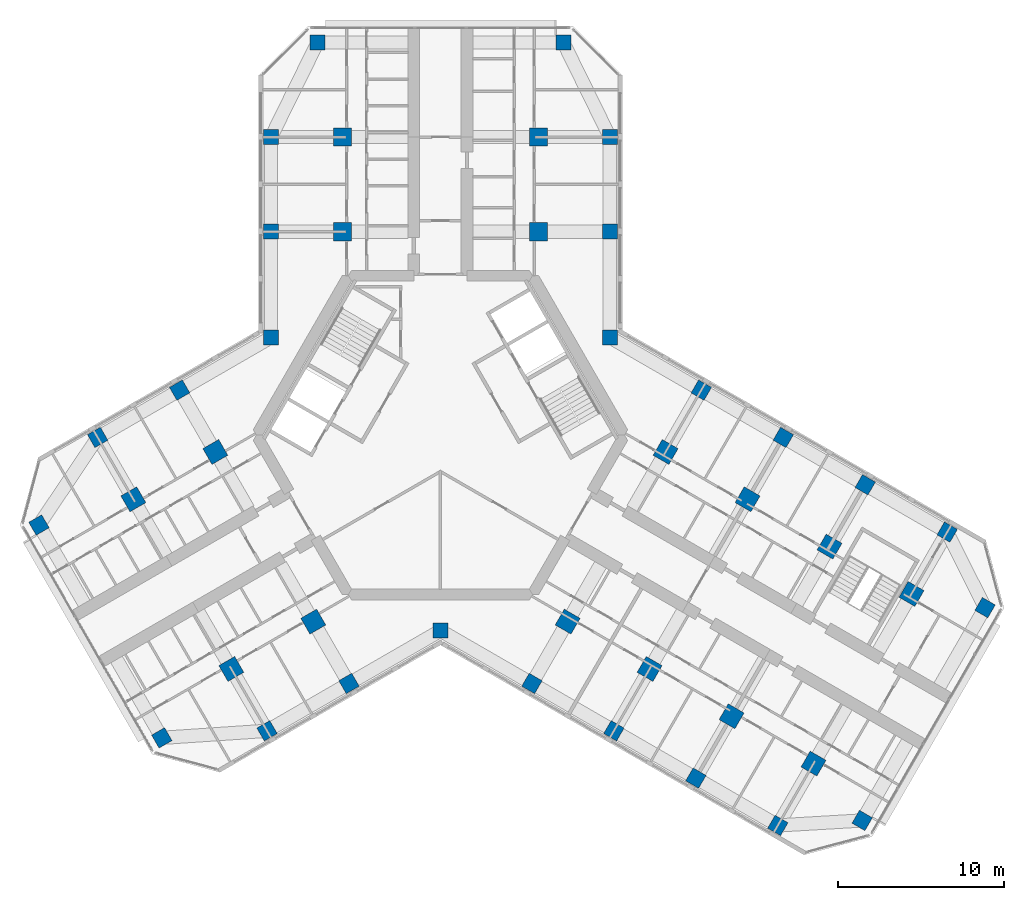
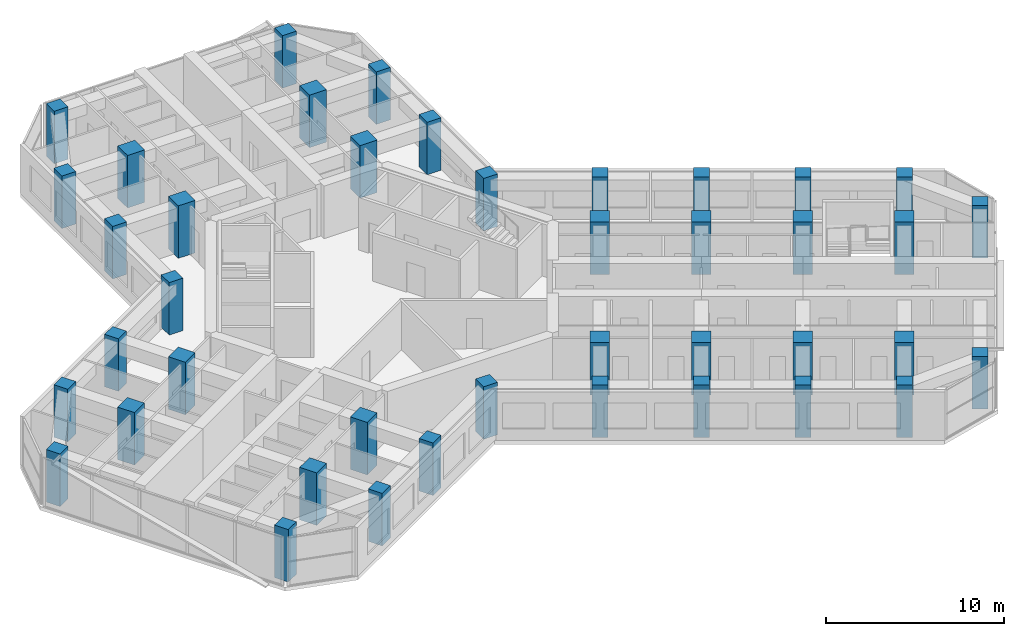
# One storey, part 1 of 16: 41 columns.
"""IFC4 building model written with IfcOpenShell, lengths in metres."""

from ifc_helpers import new_model, si_unit, direction, frame, origin, origin_2d, place, context, subcontext, project, spatial, rectangle, extrude, material, material_profile, profile_set, type_object, element, save


model = new_model("IFC4")

# Units and contexts
model_context = context("Model", 3, precision=1e-05, world=origin(), true_north=direction((0.0, 1.0)))
body_context = subcontext(model_context, "Body", "Model", "MODEL_VIEW")
ifc_project = project(units=[si_unit("LENGTHUNIT", "METRE"), si_unit("AREAUNIT", "SQUARE_METRE"), si_unit("VOLUMEUNIT", "CUBIC_METRE"), si_unit("PLANEANGLEUNIT", "RADIAN"), si_unit("MASSUNIT", "GRAM", prefix="KILO")], contexts=[model_context])

# Site, building, storey
site_placement = place(None, origin())
site = spatial("IfcSite", under=ifc_project, at=site_placement, CompositionType="ELEMENT")
building_placement = place(site_placement, origin())
building = spatial("IfcBuilding", under=site, at=building_placement, Name="Kosmar Iwan School Tower", CompositionType="ELEMENT")
storey_placement = place(building_placement, frame((0.0, 0.0, 219.0)))
storey = spatial("IfcBuildingStorey", under=building, at=storey_placement, Name="L55", CompositionType="ELEMENT", Elevation=219.0)

# Columns
ifc_material_1 = material(Name="Concrete C50/60", Category="concrete")
ifc_material_profile_1 = material_profile(ifc_material_1, rectangle(XDim=0.89990234375, YDim=0.89990234375, at=origin_2d()), Name="RC 900x900 + HD 400x347")
ifc_profile_set_1 = profile_set([ifc_material_profile_1], Name="Concrete C50/60")
column_type_1 = type_object("IfcColumnType", Name="Composite column 900x900 HD 400x347", PredefinedType="COLUMN", material=ifc_profile_set_1)
for number, where, z_axis, x_axis, name in (
    (1, (-10.199951171875, 12.25, 0.0), (0.0, 0.0, 1.0), (0.0, 1.0, 0.0), "Column AL1 L55"),
    (2, (-10.199951171875, 17.949951171875, 0.0), (0.0, 0.0, 1.0), (0.0, 1.0, 0.0), "Column AL2 L55"),
    (3, (-7.39990234375, 23.64990234375, 0.0), (0.0, 0.0, 1.0), (0.0, 1.0, 0.0), "Column ALTIP L55"),
    (4, (10.199951171875, 12.25, 0.0), (0.0, 0.0, 1.0), (0.0, 1.0, 0.0), "Column AR1 L55"),
    (5, (10.199951171875, 17.949951171875, 0.0), (0.0, 0.0, 1.0), (0.0, 1.0, 0.0), "Column AR2 L55"),
    (6, (7.39990234375, 23.64990234375, 0.0), (0.0, 0.0, 1.0), (0.0, 1.0, 0.0), "Column ARTIP L55"),
    (7, (-5.5087890625, -14.95849609375, 0.0), (0.0, 0.0, 1.0), (-0.866025403784, -0.5, 0.0), "Column BL1 L55"),
    (8, (-10.445068359375, -17.808349609375, 0.0), (0.0, 0.0, 1.0), (-0.866025403784, -0.5, 0.0), "Column BL2 L55"),
    (9, (-16.781494140625, -18.233642578125, 0.0), (0.0, 0.0, 1.0), (-0.866025403784, -0.5, 0.0), "Column BLTIP L55"),
    (10, (-15.708740234375, 2.70849609375, 0.0), (0.0, 0.0, 1.0), (-0.866025403784, -0.5, 0.0), "Column BR1 L55"),
    (11, (-20.645263671875, -0.1416015625, 0.0), (0.0, 0.0, 1.0), (-0.866025403784, -0.5, 0.0), "Column BR2 L55"),
    (12, (-24.181396484375, -5.41650390625, 0.0), (0.0, 0.0, 1.0), (-0.866025403784, -0.5, 0.0), "Column BRTIP L55"),
    (13, (15.708740234375, 2.70849609375, 0.0), (0.0, 0.0, 1.0), (0.866025403784, -0.5, 0.0), "Column CL1 L55"),
    (14, (20.645263671875, -0.1416015625, 0.0), (0.0, 0.0, 1.0), (0.866025403784, -0.5, 0.0), "Column CL2 L55"),
    (15, (25.58154296875, -2.991455078125, 0.0), (0.0, 0.0, 1.0), (0.866025403784, -0.5, 0.0), "Column CL3 L55"),
    (16, (30.517822265625, -5.841552734375, 0.0), (0.0, 0.0, 1.0), (0.866025403784, -0.5, 0.0), "Column CL4 L55"),
    (17, (32.79833984375, -10.391357421875, 0.0), (0.0, 0.0, 1.0), (0.866025403784, -0.5, 0.0), "Column CLTIP L55"),
    (18, (5.5087890625, -14.95849609375, 0.0), (0.0, 0.0, 1.0), (0.866025403784, -0.5, 0.0), "Column CR1 L55"),
    (19, (10.445068359375, -17.808349609375, 0.0), (0.0, 0.0, 1.0), (0.866025403784, -0.5, 0.0), "Column CR2 L55"),
    (20, (15.381591796875, -20.658447265625, 0.0), (0.0, 0.0, 1.0), (0.866025403784, -0.5, 0.0), "Column CR3 L55"),
    (21, (20.31787109375, -23.508544921875, 0.0), (0.0, 0.0, 1.0), (0.866025403784, -0.5, 0.0), "Column CR4 L55"),
    (22, (25.3984375, -23.20849609375, 0.0), (0.0, 0.0, 1.0), (0.866025403784, -0.5, 0.0), "Column CRTIP L55"),
    (23, (-10.199951171875, 5.888916015625, 0.0), (0.0, 0.0, 1.0), (1.0, 0.0, 0.0), "Column RAB L55"),
    (24, (10.199951171875, 5.888916015625, 0.0), (0.0, 0.0, 1.0), (1.0, 0.0, 0.0), "Column RAC L55"),
    (25, (0.0, -11.77783203125, 0.0), (0.0, 0.0, 1.0), (1.0, 0.0, 0.0), "Column RBC L55"),
):
    element("IfcColumn", number, at=place(storey_placement, frame(where, z_axis=z_axis, x_axis=x_axis)), inside=storey, type_object=column_type_1, Name=name, PredefinedType="COLUMN", context=body_context, shape_type="SweptSolid", body=[
        extrude(rectangle(XDim=0.89990234375, YDim=0.89990234375, at=origin_2d()), origin(), (0.0, 0.0, 1.0), 3.60009765625),
    ])
ifc_material_2 = material(Name="Concrete C50/60", Category="concrete")
ifc_material_profile_2 = material_profile(ifc_material_2, rectangle(XDim=1.10009765625, YDim=1.10009765625, at=origin_2d()), Name="RC 1100x1100")
ifc_profile_set_2 = profile_set([ifc_material_profile_2], Name="Concrete C50/60")
column_type_2 = type_object("IfcColumnType", Name="RC interior column 1100x1100", PredefinedType="COLUMN", material=ifc_profile_set_2)
for number, where, z_axis, x_axis, name in (
    (26, (-5.89990234375, 12.25, 0.0), (0.0, 0.0, 1.0), (0.0, 1.0, 0.0), "Interior column ALI1 L55"),
    (27, (-5.89990234375, 17.949951171875, 0.0), (0.0, 0.0, 1.0), (0.0, 1.0, 0.0), "Interior column ALI2 L55"),
    (28, (5.89990234375, 12.25, 0.0), (0.0, 0.0, 1.0), (0.0, 1.0, 0.0), "Interior column ARI1 L55"),
    (29, (5.89990234375, 17.949951171875, 0.0), (0.0, 0.0, 1.0), (0.0, 1.0, 0.0), "Interior column ARI2 L55"),
    (30, (-7.65869140625, -11.234619140625, 0.0), (0.0, 0.0, 1.0), (-0.866025403784, -0.5, 0.0), "Interior column BLI1 L55"),
    (31, (-12.59521484375, -14.08447265625, 0.0), (0.0, 0.0, 1.0), (-0.866025403784, -0.5, 0.0), "Interior column BLI2 L55"),
    (32, (-13.558837890625, -1.015380859375, 0.0), (0.0, 0.0, 1.0), (-0.866025403784, -0.5, 0.0), "Interior column BRI1 L55"),
    (33, (-18.4951171875, -3.865478515625, 0.0), (0.0, 0.0, 1.0), (-0.866025403784, -0.5, 0.0), "Interior column BRI2 L55"),
    (34, (13.558837890625, -1.015380859375, 0.0), (0.0, 0.0, 1.0), (0.866025403784, -0.5, 0.0), "Interior column CLI1 L55"),
    (35, (18.4951171875, -3.865478515625, 0.0), (0.0, 0.0, 1.0), (0.866025403784, -0.5, 0.0), "Interior column CLI2 L55"),
    (36, (23.431396484375, -6.71533203125, 0.0), (0.0, 0.0, 1.0), (0.866025403784, -0.5, 0.0), "Interior column CLI3 L55"),
    (37, (28.367919921875, -9.5654296875, 0.0), (0.0, 0.0, 1.0), (0.866025403784, -0.5, 0.0), "Interior column CLI4 L55"),
    (38, (7.65869140625, -11.234619140625, 0.0), (0.0, 0.0, 1.0), (0.866025403784, -0.5, 0.0), "Interior column CRI1 L55"),
    (39, (12.59521484375, -14.08447265625, 0.0), (0.0, 0.0, 1.0), (0.866025403784, -0.5, 0.0), "Interior column CRI2 L55"),
    (40, (17.531494140625, -16.9345703125, 0.0), (0.0, 0.0, 1.0), (0.866025403784, -0.5, 0.0), "Interior column CRI3 L55"),
    (41, (22.4677734375, -19.78466796875, 0.0), (0.0, 0.0, 1.0), (0.866025403784, -0.5, 0.0), "Interior column CRI4 L55"),
):
    element("IfcColumn", number, at=place(storey_placement, frame(where, z_axis=z_axis, x_axis=x_axis)), inside=storey, type_object=column_type_2, Name=name, PredefinedType="COLUMN", context=body_context, shape_type="SweptSolid", body=[
        extrude(rectangle(XDim=1.10009765625, YDim=1.10009765625, at=origin_2d()), origin(), (0.0, 0.0, 1.0), 3.60009765625),
    ])

save(model, "model.ifc")
